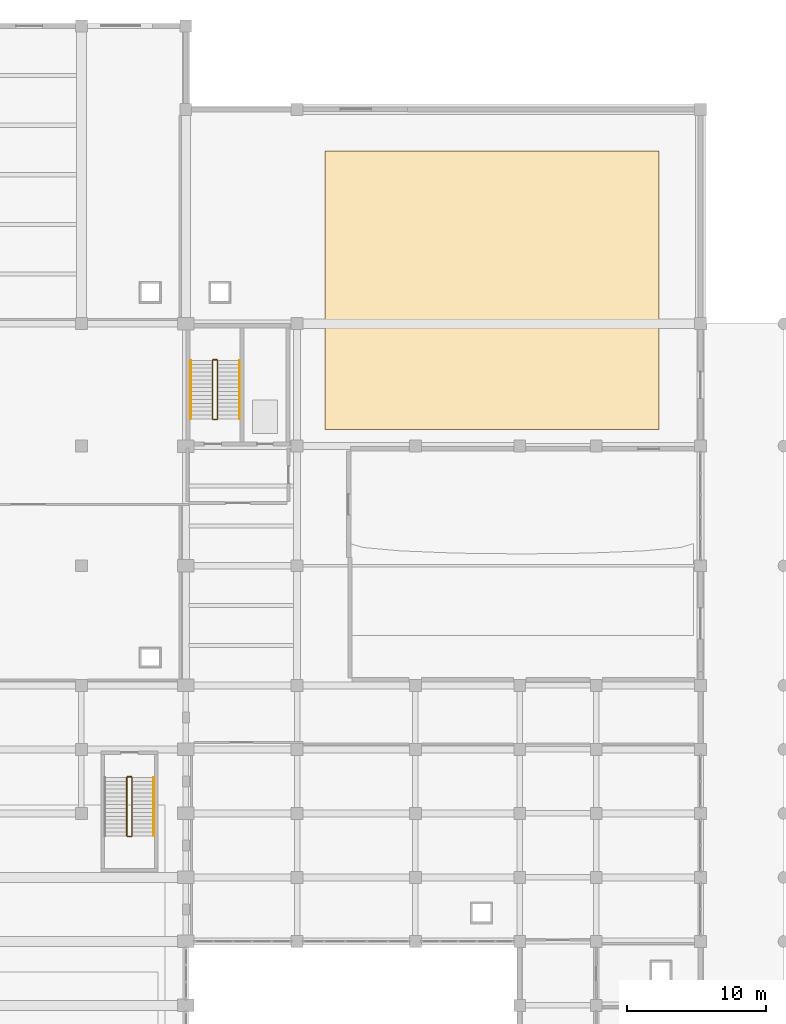
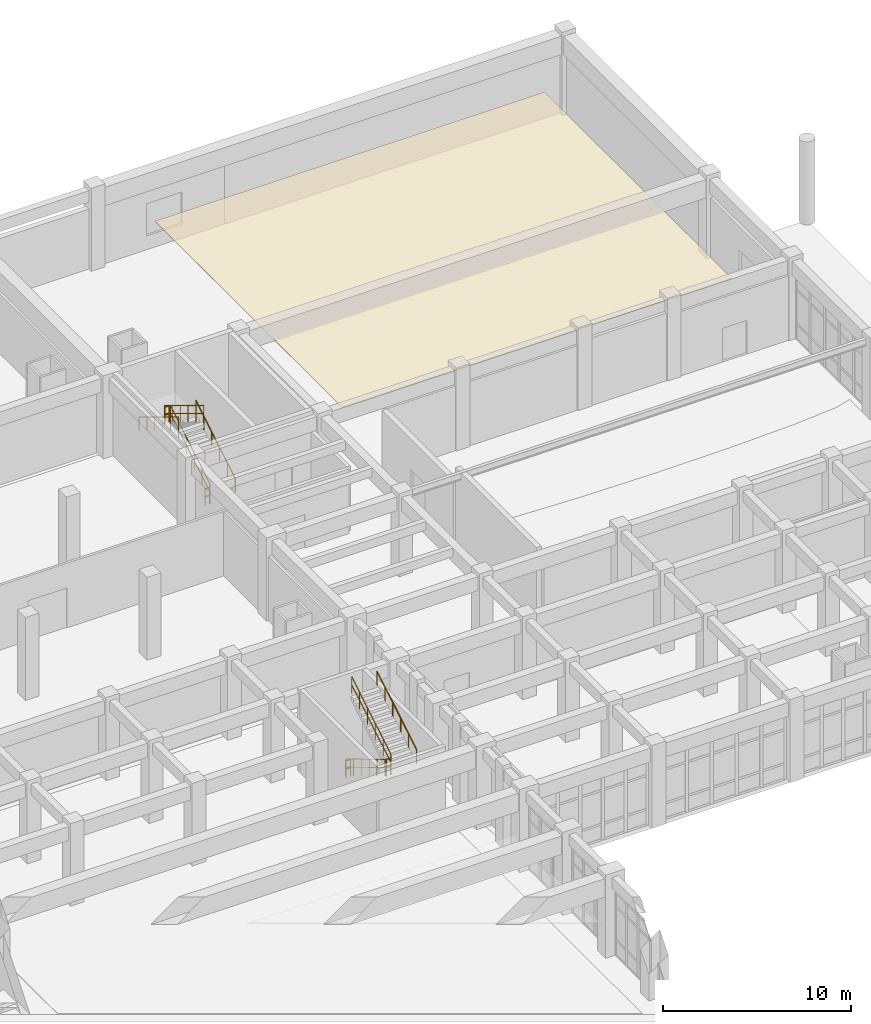
# One storey, part 83 of 84: 11 railings, 1 covering.
"""IFC4 building model written with IfcOpenShell, lengths in metres."""

import ifcopenshell
import ifcopenshell.guid

model = None  # the IFC model being written
_history = None  # IfcOwnerHistory: only IFC2X3 demands one
_inside = {}  # id of a spatial element -> (the spatial element, [elements in it])
_under = {}  # id of a project, library or spatial element -> (it, [spatial elements below it])
_declared = {}  # id of a project -> (the project, [libraries it declares])
_typed = {}  # id of a type object -> (the type object, [elements of that type])
_made_of = {}  # id of a material, layer set ... -> (it, [elements and type objects made of it])


def new_model(schema):
    """Start an empty IFC model of exactly this schema.

    Asked for "IFC4X3", IfcOpenShell would pick the latest addendum, in which some entities
    have other attributes; the version numbers below select the first issue.
    IFC2X3 requires an IfcOwnerHistory on every rooted entity: one is made here for all.
    """
    global model, _history
    if schema == "IFC4X3":
        model = ifcopenshell.file(schema_version=(4, 3, 0, 0))
    else:
        model = ifcopenshell.file(schema=schema)
    _inside.clear()
    _under.clear()
    _declared.clear()
    _typed.clear()
    _made_of.clear()
    _history = None
    if model.schema == "IFC2X3":
        org = make("IfcOrganization", Name="unknown")
        user = make(
            "IfcPersonAndOrganization",
            ThePerson=make("IfcPerson", FamilyName="unknown"),
            TheOrganization=org,
        )
        app = make(
            "IfcApplication",
            ApplicationDeveloper=org,
            Version="unknown",
            ApplicationFullName="unknown",
            ApplicationIdentifier="unknown",
        )
        _history = make(
            "IfcOwnerHistory",
            OwningUser=user,
            OwningApplication=app,
            ChangeAction="ADDED",
            CreationDate=0,
        )
    return model


def make(cls, **values):
    """One entity of the class cls with the attributes given. An attribute that is None is left unset."""
    return model.create_entity(
        cls, **{name: value for name, value in values.items() if value is not None}
    )


def rooted(cls, **values):
    """An entity with a GlobalId (a new one), such as an element, a storey or a relation."""
    return make(cls, GlobalId=ifcopenshell.guid.new(), OwnerHistory=_history, **values)


def si_unit(unit_type, name, prefix=None):
    """IfcSIUnit, for example si_unit("LENGTHUNIT", "METRE", prefix="MILLI")."""
    return make("IfcSIUnit", UnitType=unit_type, Prefix=prefix, Name=name)


def assignment(units):
    """IfcUnitAssignment: the units of a project."""
    return None if units is None else make("IfcUnitAssignment", Units=units)


def point(xyz):
    """IfcCartesianPoint."""
    return None if xyz is None else make("IfcCartesianPoint", Coordinates=xyz)


def direction(xyz):
    """IfcDirection."""
    return None if xyz is None else make("IfcDirection", DirectionRatios=xyz)


def frame(location, z_axis=None, x_axis=None):
    """IfcAxis2Placement3D, a coordinate frame: its origin and axes. An axis left out is left unset."""
    return make(
        "IfcAxis2Placement3D",
        Location=point(location),
        Axis=direction(z_axis),
        RefDirection=direction(x_axis),
    )


def frame_2d(location, x_axis=None):
    """IfcAxis2Placement2D, a coordinate frame in the plane: its origin and x axis."""
    return make(
        "IfcAxis2Placement2D", Location=point(location), RefDirection=direction(x_axis)
    )


def origin():
    """The frame at (0, 0, 0) with its axes left unset."""
    return frame((0.0, 0.0, 0.0))


def origin_2d():
    """The frame at (0, 0) in the plane with its x axis left unset."""
    return frame_2d((0.0, 0.0))


def place(relative_to, where):
    """IfcLocalPlacement: puts the frame where relative to a parent placement (None: the world)."""
    return make(
        "IfcLocalPlacement", PlacementRelTo=relative_to, RelativePlacement=where
    )


def context(
    kind, dimensions, precision=None, world=None, true_north=None, identifier=None
):
    """IfcGeometricRepresentationContext, for example the 3D "Model" context."""
    return make(
        "IfcGeometricRepresentationContext",
        ContextIdentifier=identifier,
        ContextType=kind,
        CoordinateSpaceDimension=dimensions,
        Precision=precision,
        WorldCoordinateSystem=world,
        TrueNorth=true_north,
    )


def subcontext(parent, identifier, kind, view, scale=None):
    """IfcGeometricRepresentationSubContext, for example "Body" below "Model"."""
    return make(
        "IfcGeometricRepresentationSubContext",
        ContextIdentifier=identifier,
        ContextType=kind,
        ParentContext=parent,
        TargetScale=scale,
        TargetView=view,
    )


def project(units=None, contexts=None):
    """IfcProject with its units and contexts."""
    return rooted(
        "IfcProject",
        Name="project",
        RepresentationContexts=contexts,
        UnitsInContext=assignment(units),
    )


def spatial(cls, under=None, at=None, **own):
    """A site, building, storey or space (cls), placed at a placement, below another one or the project."""
    s = rooted(cls, ObjectPlacement=at, **own)
    if under is not None:
        _under.setdefault(under.id(), (under, []))[1].append(s)
    return s


def polyline(points):
    """IfcPolyline through the points."""
    return make("IfcPolyline", Points=[point(p) for p in points])


def profile(cls, at=None, kind="AREA", **sizes):
    """A parametric profile (cls). Its sizes go by their IFC names, for example OverallWidth=200.0."""
    return make(cls, ProfileType=kind, Position=at, **sizes)


def circle(**sizes):
    """IfcCircleProfileDef."""
    return profile("IfcCircleProfileDef", **sizes)


def outline(outer, holes=None, kind="AREA"):
    """IfcArbitraryClosedProfileDef: a profile drawn as a closed curve; with holes, ...WithVoids."""
    if holes is None:
        return make("IfcArbitraryClosedProfileDef", ProfileType=kind, OuterCurve=outer)
    return make(
        "IfcArbitraryProfileDefWithVoids",
        ProfileType=kind,
        OuterCurve=outer,
        InnerCurves=holes,
    )


def extrude(swept, where, along, depth):
    """IfcExtrudedAreaSolid: the profile swept, set in the frame where, extruded along a direction by depth."""
    return make(
        "IfcExtrudedAreaSolid",
        SweptArea=swept,
        Position=where,
        ExtrudedDirection=direction(along),
        Depth=depth,
    )


def shape(context_of_items, identifier, shape_type, items):
    """IfcShapeRepresentation: the items that make up one representation, for example the "Body"."""
    return make(
        "IfcShapeRepresentation",
        ContextOfItems=context_of_items,
        RepresentationIdentifier=identifier,
        RepresentationType=shape_type,
        Items=items,
    )


def material(Name=None, Category=None):
    """IfcMaterial."""
    return make("IfcMaterial", Name=Name, Category=Category)


def layer(
    of_material, thickness, ventilated=None, Name=None, Category=None, Priority=None
):
    """IfcMaterialLayer: one layer of a wall or slab, of a material (None: an air gap)."""
    return make(
        "IfcMaterialLayer",
        Material=of_material,
        LayerThickness=thickness,
        IsVentilated=ventilated,
        Name=Name,
        Category=Category,
        Priority=Priority,
    )


def layer_set(layers, Name=None):
    """IfcMaterialLayerSet."""
    return make("IfcMaterialLayerSet", MaterialLayers=layers, LayerSetName=Name)


def made_of(thing, what):
    """Note that an element or type object is made of a material, layer set ...; save() writes the relation."""
    if what is not None:
        _made_of.setdefault(what.id(), (what, []))[1].append(thing)
    return thing


def type_object(cls, material=None, **own):
    """A type object (cls), such as IfcWallType, which elements share."""
    return made_of(rooted(cls, **own), material)


def element(
    cls,
    number,
    at=None,
    inside=None,
    cuts=None,
    type_object=None,
    material=None,
    context=None,
    identifier="Body",
    shape_type=None,
    held_by="IfcProductDefinitionShape",
    body=None,
    shapes=None,
    **own,
):
    """One element of the class cls, such as IfcWall. Its Tag is "e" and its number.

    at: its placement. inside: the storey or other place that contains it. cuts: it is an
    opening in that element (IfcRelVoidsElement). A single representation is given by context,
    identifier, shape_type and body (its items); several are given by shapes. held_by: the class
    of the entity that holds the representations. save() writes the other relations.
    """
    e = rooted(cls, Tag="e%d" % number, ObjectPlacement=at, **own)
    if body is not None:
        shapes = [shape(context, identifier, shape_type, body)]
    if shapes is not None:
        e.Representation = make(held_by, Representations=shapes)
    if inside is not None:
        _inside.setdefault(inside.id(), (inside, []))[1].append(e)
    if cuts is not None:
        rooted(
            "IfcRelVoidsElement", RelatingBuildingElement=cuts, RelatedOpeningElement=e
        )
    if type_object is not None:
        _typed.setdefault(type_object.id(), (type_object, []))[1].append(e)
    return made_of(e, material)


def aggregate(whole, parts):
    """IfcRelAggregates: a whole, such as a stair, and the parts it consists of."""
    return rooted("IfcRelAggregates", RelatingObject=whole, RelatedObjects=parts)


def save(model, path):
    """Write the relations noted so far, then the file.

    IfcRelAggregates (storeys below a building ...), IfcRelContainedInSpatialStructure (elements
    in a storey), IfcRelDefinesByType, IfcRelAssociatesMaterial and IfcRelDeclares: one each for
    every whole, place, type object, material and project.
    """
    for whole, parts in _under.values():
        aggregate(whole, parts)
    for where, things in _inside.values():
        rooted(
            "IfcRelContainedInSpatialStructure",
            RelatedElements=things,
            RelatingStructure=where,
        )
    for kind, things in _typed.values():
        rooted("IfcRelDefinesByType", RelatedObjects=things, RelatingType=kind)
    for what, things in _made_of.values():
        rooted("IfcRelAssociatesMaterial", RelatedObjects=things, RelatingMaterial=what)
    for by, libraries in _declared.values():
        rooted("IfcRelDeclares", RelatingContext=by, RelatedDefinitions=libraries)
    model.write(path)


model = new_model("IFC4")

# Units and contexts
model_context = context("Model", 3, precision=1e-05, world=origin(), true_north=direction((0.0, 1.0)))
body_context = subcontext(model_context, "Body", "Model", "MODEL_VIEW")
ifc_project = project(units=[si_unit("LENGTHUNIT", "METRE"), si_unit("AREAUNIT", "SQUARE_METRE"), si_unit("VOLUMEUNIT", "CUBIC_METRE"), si_unit("PLANEANGLEUNIT", "RADIAN"), si_unit("MASSUNIT", "GRAM", prefix="KILO")], contexts=[model_context])

# Site, building, storey
site_placement = place(None, origin())
site = spatial("IfcSite", under=ifc_project, at=site_placement, CompositionType="ELEMENT")
building_placement = place(site_placement, origin())
building = spatial("IfcBuilding", under=site, at=building_placement, Name="Muzn Square Opera House", CompositionType="ELEMENT")
storey_placement = place(building_placement, origin())
storey = spatial("IfcBuildingStorey", under=building, at=storey_placement, Name="L00", CompositionType="ELEMENT", Elevation=0.0)

# Covering
ifc_material_1 = material(Name="Acoustic walnut timber panelling", Category="wood")
ifc_layer = layer(ifc_material_1, 0.0400390625, Name="Acoustic walnut timber panelling", Category="wood")
ifc_layer_set = layer_set([ifc_layer], Name="Acoustic walnut timber panelling")
covering_type = type_object("IfcCoveringType", Name="Carved Walnut Acoustic Ceiling Cloud", PredefinedType="CEILING", material=ifc_layer_set)
covering_placement = place(storey_placement, frame((0.0, 0.0, 3.949951171875)))
element("IfcCovering", 1, at=covering_placement, inside=storey, type_object=covering_type, Name="Studio Foyer Acoustic Ceiling Cloud", PredefinedType="CEILING", context=body_context, shape_type="SweptSolid", body=[
    extrude(outline(polyline([(143.0, 91.0), (167.0, 91.0), (167.0, 111.0), (143.0, 111.0), (143.0, 91.0)])), origin(), (0.0, 0.0, 1.0), 0.0400390625),
])

# Railings
ifc_material_2 = material(Name="Brushed stainless steel", Category="metal")
railing_type_1 = type_object("IfcRailingType", Name="Stair Guard Railing 1120mm", PredefinedType="GUARDRAIL", material=ifc_material_2)
railing_1_placement = place(storey_placement, frame((135.2900390625, 91.760009765625, 0.168701171875)))
element("IfcRailing", 2, at=railing_1_placement, inside=storey, type_object=railing_type_1, Name="L00 ST-5 stair guard 1", PredefinedType="GUARDRAIL", context=body_context, shape_type="SweptSolid", body=[
    extrude(circle(Radius=0.02392578125, at=origin_2d()), frame((0.0, 0.0, 1.076171875), z_axis=(0.0, 0.856476492594, 0.516186030065), x_axis=(-1.0, 0.0, 0.0)), (0.0, 0.0, 1.0), 4.90380859375),
    extrude(circle(Radius=0.02392578125, at=origin_2d()), frame((0.0, 0.0, 0.550048828125), z_axis=(0.0, 0.856476492594, 0.516186030065), x_axis=(-1.0, 0.0, 0.0)), (0.0, 0.0, 1.0), 4.90380859375),
    extrude(circle(Radius=0.02099609375, at=origin_2d()), origin(), (0.0, 0.0, 1.0), 1.052001953125),
    extrude(circle(Radius=0.02099609375, at=origin_2d()), frame((0.0, 0.840087890625, 0.50634765625)), (0.0, 0.0, 1.0), 1.052001953125),
    extrude(circle(Radius=0.02099609375, at=origin_2d()), frame((0.0, 1.679931640625, 1.012451171875)), (0.0, 0.0, 1.0), 1.052001953125),
    extrude(circle(Radius=0.02099609375, at=origin_2d()), frame((0.0, 2.52001953125, 1.518798828125)), (0.0, 0.0, 1.0), 1.052001953125),
    extrude(circle(Radius=0.02099609375, at=origin_2d()), frame((0.0, 3.35986328125, 2.02490234375)), (0.0, 0.0, 1.0), 1.052001953125),
    extrude(circle(Radius=0.02099609375, at=origin_2d()), frame((0.0, 4.199951171875, 2.53125)), (0.0, 0.0, 1.0), 1.052001953125),
])
railing_2_placement = place(storey_placement, frame((135.239990234375, 96.010009765625, 2.699951171875)))
element("IfcRailing", 3, at=railing_2_placement, inside=storey, type_object=railing_type_1, Name="L00 ST-5 stair guard 2", PredefinedType="GUARDRAIL", context=body_context, shape_type="SweptSolid", body=[
    extrude(circle(Radius=0.02392578125, at=origin_2d()), frame((0.0, 0.0, 1.076171875), z_axis=(-1.0, 0.0, 0.0), x_axis=(0.0, -1.0, 0.0)), (0.0, 0.0, 1.0), 0.280029296875),
    extrude(circle(Radius=0.02392578125, at=origin_2d()), frame((0.0, 0.0, 0.550048828125), z_axis=(-1.0, 0.0, 0.0), x_axis=(0.0, -1.0, 0.0)), (0.0, 0.0, 1.0), 0.280029296875),
    extrude(circle(Radius=0.02099609375, at=origin_2d()), origin(), (0.0, 0.0, 1.0), 1.052001953125),
    extrude(circle(Radius=0.02099609375, at=origin_2d()), frame((-0.280029296875, 0.0, 0.0)), (0.0, 0.0, 1.0), 1.052001953125),
])
railing_3_placement = place(storey_placement, frame((134.909912109375, 95.9599609375, 2.86865234375)))
element("IfcRailing", 4, at=railing_3_placement, inside=storey, type_object=railing_type_1, Name="L00 ST-5 stair guard 3", PredefinedType="GUARDRAIL", context=body_context, shape_type="SweptSolid", body=[
    extrude(circle(Radius=0.02392578125, at=origin_2d()), frame((0.0, 0.0, 1.076171875), z_axis=(0.0, -0.856476492594, 0.516186030065), x_axis=(1.0, 0.0, 0.0)), (0.0, 0.0, 1.0), 4.90380859375),
    extrude(circle(Radius=0.02392578125, at=origin_2d()), frame((0.0, 0.0, 0.550048828125), z_axis=(0.0, -0.856476492594, 0.516186030065), x_axis=(1.0, 0.0, 0.0)), (0.0, 0.0, 1.0), 4.90380859375),
    extrude(circle(Radius=0.02099609375, at=origin_2d()), origin(), (0.0, 0.0, 1.0), 1.052001953125),
    extrude(circle(Radius=0.02099609375, at=origin_2d()), frame((0.0, -0.840087890625, 0.50634765625)), (0.0, 0.0, 1.0), 1.052001953125),
    extrude(circle(Radius=0.02099609375, at=origin_2d()), frame((0.0, -1.679931640625, 1.012451171875)), (0.0, 0.0, 1.0), 1.052001953125),
    extrude(circle(Radius=0.02099609375, at=origin_2d()), frame((0.0, -2.52001953125, 1.518798828125)), (0.0, 0.0, 1.0), 1.052001953125),
    extrude(circle(Radius=0.02099609375, at=origin_2d()), frame((0.0, -3.35986328125, 2.02490234375)), (0.0, 0.0, 1.0), 1.052001953125),
    extrude(circle(Radius=0.02099609375, at=origin_2d()), frame((0.0, -4.199951171875, 2.53125)), (0.0, 0.0, 1.0), 1.052001953125),
])
railing_4_placement = place(storey_placement, frame((135.239990234375, 91.7099609375, 0.0)))
element("IfcRailing", 5, at=railing_4_placement, inside=storey, type_object=railing_type_1, Name="L00 ST-5 stair guard 4", PredefinedType="GUARDRAIL", context=body_context, shape_type="SweptSolid", body=[
    extrude(circle(Radius=0.02392578125, at=origin_2d()), frame((0.0, 0.0, 1.076171875), z_axis=(-1.0, 0.0, 0.0), x_axis=(0.0, -1.0, 0.0)), (0.0, 0.0, 1.0), 0.280029296875),
    extrude(circle(Radius=0.02392578125, at=origin_2d()), frame((0.0, 0.0, 0.550048828125), z_axis=(-1.0, 0.0, 0.0), x_axis=(0.0, -1.0, 0.0)), (0.0, 0.0, 1.0), 0.280029296875),
    extrude(circle(Radius=0.02099609375, at=origin_2d()), origin(), (0.0, 0.0, 1.0), 1.052001953125),
    extrude(circle(Radius=0.02099609375, at=origin_2d()), frame((-0.280029296875, 0.0, 0.0)), (0.0, 0.0, 1.0), 1.052001953125),
])
railing_5_placement = place(storey_placement, frame((128.760009765625, 65.989990234375, 0.168701171875)))
element("IfcRailing", 6, at=railing_5_placement, inside=storey, type_object=railing_type_1, Name="L00 ST-10 stair guard 1", PredefinedType="GUARDRAIL", context=body_context, shape_type="SweptSolid", body=[
    extrude(circle(Radius=0.02392578125, at=origin_2d()), frame((0.0, 0.0, 1.076171875), z_axis=(0.0, -0.856476492594, 0.516186030065), x_axis=(1.0, 0.0, 0.0)), (0.0, 0.0, 1.0), 4.90380859375),
    extrude(circle(Radius=0.02392578125, at=origin_2d()), frame((0.0, 0.0, 0.550048828125), z_axis=(0.0, -0.856476492594, 0.516186030065), x_axis=(1.0, 0.0, 0.0)), (0.0, 0.0, 1.0), 4.90380859375),
    extrude(circle(Radius=0.02099609375, at=origin_2d()), origin(), (0.0, 0.0, 1.0), 1.052001953125),
    extrude(circle(Radius=0.02099609375, at=origin_2d()), frame((0.0, -0.840087890625, 0.50634765625)), (0.0, 0.0, 1.0), 1.052001953125),
    extrude(circle(Radius=0.02099609375, at=origin_2d()), frame((0.0, -1.679931640625, 1.012451171875)), (0.0, 0.0, 1.0), 1.052001953125),
    extrude(circle(Radius=0.02099609375, at=origin_2d()), frame((0.0, -2.52001953125, 1.518798828125)), (0.0, 0.0, 1.0), 1.052001953125),
    extrude(circle(Radius=0.02099609375, at=origin_2d()), frame((0.0, -3.35986328125, 2.02490234375)), (0.0, 0.0, 1.0), 1.052001953125),
    extrude(circle(Radius=0.02099609375, at=origin_2d()), frame((0.0, -4.199951171875, 2.53125)), (0.0, 0.0, 1.0), 1.052001953125),
])
railing_6_placement = place(storey_placement, frame((128.81005859375, 61.739990234375, 2.699951171875)))
element("IfcRailing", 7, at=railing_6_placement, inside=storey, type_object=railing_type_1, Name="L00 ST-10 stair guard 2", PredefinedType="GUARDRAIL", context=body_context, shape_type="SweptSolid", body=[
    extrude(circle(Radius=0.02392578125, at=origin_2d()), frame((0.0, 0.0, 1.076171875), z_axis=(1.0, 0.0, 0.0), x_axis=(0.0, 1.0, 0.0)), (0.0, 0.0, 1.0), 0.280029296875),
    extrude(circle(Radius=0.02392578125, at=origin_2d()), frame((0.0, 0.0, 0.550048828125), z_axis=(1.0, 0.0, 0.0), x_axis=(0.0, 1.0, 0.0)), (0.0, 0.0, 1.0), 0.280029296875),
    extrude(circle(Radius=0.02099609375, at=origin_2d()), origin(), (0.0, 0.0, 1.0), 1.052001953125),
    extrude(circle(Radius=0.02099609375, at=origin_2d()), frame((0.280029296875, 0.0, 0.0)), (0.0, 0.0, 1.0), 1.052001953125),
])
railing_7_placement = place(storey_placement, frame((129.139892578125, 61.7900390625, 2.86865234375)))
element("IfcRailing", 8, at=railing_7_placement, inside=storey, type_object=railing_type_1, Name="L00 ST-10 stair guard 3", PredefinedType="GUARDRAIL", context=body_context, shape_type="SweptSolid", body=[
    extrude(circle(Radius=0.02392578125, at=origin_2d()), frame((0.0, 0.0, 1.076171875), z_axis=(0.0, 0.856476492594, 0.516186030065), x_axis=(-1.0, 0.0, 0.0)), (0.0, 0.0, 1.0), 4.90380859375),
    extrude(circle(Radius=0.02392578125, at=origin_2d()), frame((0.0, 0.0, 0.550048828125), z_axis=(0.0, 0.856476492594, 0.516186030065), x_axis=(-1.0, 0.0, 0.0)), (0.0, 0.0, 1.0), 4.90380859375),
    extrude(circle(Radius=0.02099609375, at=origin_2d()), origin(), (0.0, 0.0, 1.0), 1.052001953125),
    extrude(circle(Radius=0.02099609375, at=origin_2d()), frame((0.0, 0.840087890625, 0.50634765625)), (0.0, 0.0, 1.0), 1.052001953125),
    extrude(circle(Radius=0.02099609375, at=origin_2d()), frame((0.0, 1.679931640625, 1.012451171875)), (0.0, 0.0, 1.0), 1.052001953125),
    extrude(circle(Radius=0.02099609375, at=origin_2d()), frame((0.0, 2.52001953125, 1.518798828125)), (0.0, 0.0, 1.0), 1.052001953125),
    extrude(circle(Radius=0.02099609375, at=origin_2d()), frame((0.0, 3.35986328125, 2.02490234375)), (0.0, 0.0, 1.0), 1.052001953125),
    extrude(circle(Radius=0.02099609375, at=origin_2d()), frame((0.0, 4.199951171875, 2.53125)), (0.0, 0.0, 1.0), 1.052001953125),
])
railing_8_placement = place(storey_placement, frame((128.81005859375, 66.0400390625, 0.0)))
element("IfcRailing", 9, at=railing_8_placement, inside=storey, type_object=railing_type_1, Name="L00 ST-10 stair guard 4", PredefinedType="GUARDRAIL", context=body_context, shape_type="SweptSolid", body=[
    extrude(circle(Radius=0.02392578125, at=origin_2d()), frame((0.0, 0.0, 1.076171875), z_axis=(1.0, 0.0, 0.0), x_axis=(0.0, 1.0, 0.0)), (0.0, 0.0, 1.0), 0.280029296875),
    extrude(circle(Radius=0.02392578125, at=origin_2d()), frame((0.0, 0.0, 0.550048828125), z_axis=(1.0, 0.0, 0.0), x_axis=(0.0, 1.0, 0.0)), (0.0, 0.0, 1.0), 0.280029296875),
    extrude(circle(Radius=0.02099609375, at=origin_2d()), origin(), (0.0, 0.0, 1.0), 1.052001953125),
    extrude(circle(Radius=0.02099609375, at=origin_2d()), frame((0.280029296875, 0.0, 0.0)), (0.0, 0.0, 1.0), 1.052001953125),
])
railing_type_2 = type_object("IfcRailingType", Name="Stair Pitch Handrail 900mm", PredefinedType="HANDRAIL", material=ifc_material_2)
railing_9_placement = place(storey_placement, frame((136.85009765625, 91.760009765625, 0.168701171875)))
element("IfcRailing", 10, at=railing_9_placement, inside=storey, type_object=railing_type_2, Name="L00 ST-5 stair handrail 1", PredefinedType="HANDRAIL", context=body_context, shape_type="SweptSolid", body=[
    extrude(circle(Radius=0.02392578125, at=origin_2d()), frame((0.0, 0.0, 0.8759765625), z_axis=(0.0, 0.856476492594, 0.516186030065), x_axis=(-1.0, 0.0, 0.0)), (0.0, 0.0, 1.0), 4.90380859375),
    extrude(circle(Radius=0.02099609375, at=origin_2d()), origin(), (0.0, 0.0, 1.0), 0.851806640625),
    extrude(circle(Radius=0.02099609375, at=origin_2d()), frame((0.0, 0.840087890625, 0.50634765625)), (0.0, 0.0, 1.0), 0.851806640625),
    extrude(circle(Radius=0.02099609375, at=origin_2d()), frame((0.0, 1.679931640625, 1.012451171875)), (0.0, 0.0, 1.0), 0.851806640625),
    extrude(circle(Radius=0.02099609375, at=origin_2d()), frame((0.0, 2.52001953125, 1.518798828125)), (0.0, 0.0, 1.0), 0.851806640625),
    extrude(circle(Radius=0.02099609375, at=origin_2d()), frame((0.0, 3.35986328125, 2.02490234375)), (0.0, 0.0, 1.0), 0.851806640625),
    extrude(circle(Radius=0.02099609375, at=origin_2d()), frame((0.0, 4.199951171875, 2.53125)), (0.0, 0.0, 1.0), 0.851806640625),
])
railing_10_placement = place(storey_placement, frame((133.35009765625, 95.9599609375, 2.86865234375)))
element("IfcRailing", 11, at=railing_10_placement, inside=storey, type_object=railing_type_2, Name="L00 ST-5 stair handrail 2", PredefinedType="HANDRAIL", context=body_context, shape_type="SweptSolid", body=[
    extrude(circle(Radius=0.02392578125, at=origin_2d()), frame((0.0, 0.0, 0.8759765625), z_axis=(0.0, -0.856476492594, 0.516186030065), x_axis=(1.0, 0.0, 0.0)), (0.0, 0.0, 1.0), 4.90380859375),
    extrude(circle(Radius=0.02099609375, at=origin_2d()), origin(), (0.0, 0.0, 1.0), 0.851806640625),
    extrude(circle(Radius=0.02099609375, at=origin_2d()), frame((0.0, -0.840087890625, 0.50634765625)), (0.0, 0.0, 1.0), 0.851806640625),
    extrude(circle(Radius=0.02099609375, at=origin_2d()), frame((0.0, -1.679931640625, 1.012451171875)), (0.0, 0.0, 1.0), 0.851806640625),
    extrude(circle(Radius=0.02099609375, at=origin_2d()), frame((0.0, -2.52001953125, 1.518798828125)), (0.0, 0.0, 1.0), 0.851806640625),
    extrude(circle(Radius=0.02099609375, at=origin_2d()), frame((0.0, -3.35986328125, 2.02490234375)), (0.0, 0.0, 1.0), 0.851806640625),
    extrude(circle(Radius=0.02099609375, at=origin_2d()), frame((0.0, -4.199951171875, 2.53125)), (0.0, 0.0, 1.0), 0.851806640625),
])
railing_11_placement = place(storey_placement, frame((130.699951171875, 61.7900390625, 2.86865234375)))
element("IfcRailing", 12, at=railing_11_placement, inside=storey, type_object=railing_type_2, Name="L00 ST-10 stair handrail 2", PredefinedType="HANDRAIL", context=body_context, shape_type="SweptSolid", body=[
    extrude(circle(Radius=0.02392578125, at=origin_2d()), frame((0.0, 0.0, 0.8759765625), z_axis=(0.0, 0.856476492594, 0.516186030065), x_axis=(-1.0, 0.0, 0.0)), (0.0, 0.0, 1.0), 4.90380859375),
    extrude(circle(Radius=0.02099609375, at=origin_2d()), origin(), (0.0, 0.0, 1.0), 0.851806640625),
    extrude(circle(Radius=0.02099609375, at=origin_2d()), frame((0.0, 0.840087890625, 0.50634765625)), (0.0, 0.0, 1.0), 0.851806640625),
    extrude(circle(Radius=0.02099609375, at=origin_2d()), frame((0.0, 1.679931640625, 1.012451171875)), (0.0, 0.0, 1.0), 0.851806640625),
    extrude(circle(Radius=0.02099609375, at=origin_2d()), frame((0.0, 2.52001953125, 1.518798828125)), (0.0, 0.0, 1.0), 0.851806640625),
    extrude(circle(Radius=0.02099609375, at=origin_2d()), frame((0.0, 3.35986328125, 2.02490234375)), (0.0, 0.0, 1.0), 0.851806640625),
    extrude(circle(Radius=0.02099609375, at=origin_2d()), frame((0.0, 4.199951171875, 2.53125)), (0.0, 0.0, 1.0), 0.851806640625),
])

save(model, "model.ifc")
